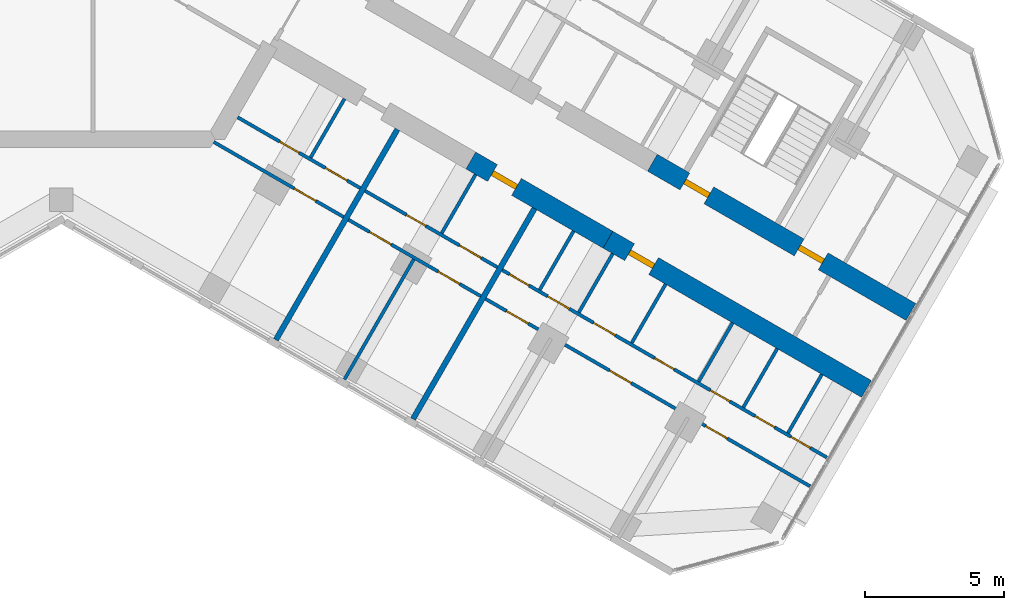
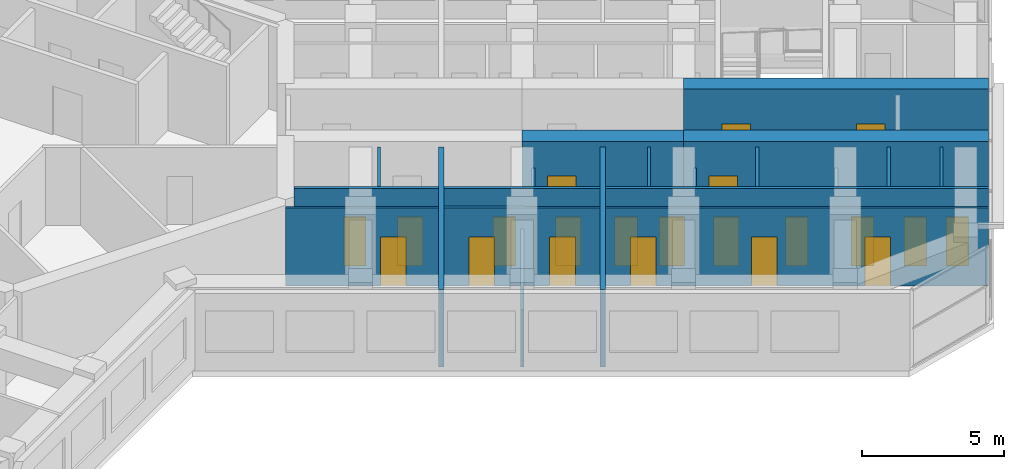
# One storey, part 11 of 16: 21 doors, 20 walls, 21 openings.
"""IFC4 building model written with IfcOpenShell, lengths in metres."""

from ifc_helpers import new_model, si_unit, direction, frame, frame_2d, origin, place, context, subcontext, project, spatial, rectangle, extrude, material, layer, layer_set, type_object, element, fill, save


model = new_model("IFC4")

# Units and contexts
model_context = context("Model", 3, precision=1e-05, world=origin(), true_north=direction((0.0, 1.0)))
body_context = subcontext(model_context, "Body", "Model", "MODEL_VIEW")
ifc_project = project(units=[si_unit("LENGTHUNIT", "METRE"), si_unit("AREAUNIT", "SQUARE_METRE"), si_unit("VOLUMEUNIT", "CUBIC_METRE"), si_unit("PLANEANGLEUNIT", "RADIAN"), si_unit("MASSUNIT", "GRAM", prefix="KILO")], contexts=[model_context])

# Site, building, storey
site_placement = place(None, origin())
site = spatial("IfcSite", under=ifc_project, at=site_placement, CompositionType="ELEMENT")
building_placement = place(site_placement, origin())
building = spatial("IfcBuilding", under=site, at=building_placement, Name="Kosmar Iwan School Tower", CompositionType="ELEMENT")
storey_placement = place(building_placement, frame((0.0, 0.0, 249.60009765625)))
storey = spatial("IfcBuildingStorey", under=building, at=storey_placement, Name="L63", CompositionType="ELEMENT", Elevation=249.60009765625)

# Wall, openings, doors
ifc_material_1 = material(Name="Concrete C50/60", Category="concrete")
ifc_layer_1 = layer(ifc_material_1, 0.699951171875)
ifc_layer_set_1 = layer_set([ifc_layer_1], Name="Corridor buttress wall 700")
wall_type_1 = type_object("IfcWallType", Name="Corridor buttress wall 700", PredefinedType="SHEAR", material=ifc_layer_set_1)
wall_1_placement = place(storey_placement, frame((21.281494140625, -10.439453125, 0.0), z_axis=(0.0, 0.0, 1.0), x_axis=(0.866032345022, -0.499987977232, 0.0)))
wall_1 = element("IfcWall", 1, at=wall_1_placement, inside=storey, type_object=wall_type_1, Name="Corridor wall CL bay 3", PredefinedType="SHEAR", context=body_context, shape_type="SweptSolid", body=[
    extrude(rectangle(XDim=10.744873046875, YDim=0.699951171875, at=frame_2d((5.37255859375, 0.0))), origin(), (0.0, 0.0, 1.0), 3.599853515625),
])
opening_1_placement = place(wall_1_placement, frame((6.10009765625, 0.0, 0.0)))
opening_1 = element("IfcOpeningElement", 2, at=opening_1_placement, cuts=wall_1, Name="Opening D1", PredefinedType="OPENING", context=body_context, shape_type="SweptSolid", body=[
    extrude(rectangle(XDim=1.0, YDim=2.10009765625, at=frame_2d((0.5, 1.050048828125))), frame((0.0, 0.362060546875, 0.0), z_axis=(0.0, -1.0, 0.0), x_axis=(1.0, 0.0, 0.0)), (0.0, 0.0, 1.0), 0.723876953125),
])
opening_2_placement = place(wall_1_placement, frame((1.35009765625, 0.0, 0.0)))
opening_2 = element("IfcOpeningElement", 3, at=opening_2_placement, cuts=wall_1, Name="Opening D6", PredefinedType="OPENING", context=body_context, shape_type="SweptSolid", body=[
    extrude(rectangle(XDim=1.0, YDim=2.10009765625, at=frame_2d((0.5, 1.050048828125))), frame((0.0, 0.362060546875, 0.0), z_axis=(0.0, -1.0, 0.0), x_axis=(1.0, 0.0, 0.0)), (0.0, 0.0, 1.0), 0.723876953125),
])
ifc_material_2 = material(Name="Timber fire door in steel frame", Category="steel")
door_type_1 = type_object("IfcDoorType", Name="Flat entrance door 1000x2100", OperationType="SINGLE_SWING_LEFT", PredefinedType="DOOR", material=ifc_material_2)
door_1_placement = place(opening_1_placement, origin())
door_1 = element("IfcDoor", 4, at=door_1_placement, inside=storey, type_object=door_type_1, Name="Flat L63-CL3 entrance door", OperationType="SINGLE_SWING_RIGHT", OverallHeight=2.10009765625, OverallWidth=1.0, PredefinedType="DOOR", context=body_context, shape_type="SweptSolid", body=[
    extrude(rectangle(XDim=1.0, YDim=2.10009765625, at=frame_2d((0.5, 1.050048828125))), frame((0.0, 0.10009765625, 0.0), z_axis=(0.0, -1.0, 0.0), x_axis=(1.0, 0.0, 0.0)), (0.0, 0.0, 1.0), 0.199951171875),
])
fill(opening_1, door_1)
ifc_material_3 = material(Name="Steel fire door", Category="steel")
door_type_2 = type_object("IfcDoorType", Name="Stair door 1000x2100", OperationType="SINGLE_SWING_LEFT", PredefinedType="DOOR", material=ifc_material_3)
door_2_placement = place(opening_2_placement, origin())
door_2 = element("IfcDoor", 5, at=door_2_placement, inside=storey, type_object=door_type_2, Name="Stair WS3 door L63", OperationType="SINGLE_SWING_LEFT", OverallHeight=2.10009765625, OverallWidth=1.0, PredefinedType="DOOR", context=body_context, shape_type="SweptSolid", body=[
    extrude(rectangle(XDim=1.0, YDim=2.10009765625, at=frame_2d((0.5, 1.050048828125))), frame((0.0, 0.10009765625, 0.0), z_axis=(0.0, -1.0, 0.0), x_axis=(1.0, 0.0, 0.0)), (0.0, 0.0, 1.0), 0.199951171875),
])
fill(opening_2, door_2)

# Wall, opening, door
wall_2_placement = place(storey_placement, frame((14.7451171875, -10.360595703125, 0.0), z_axis=(0.0, 0.0, 1.0), x_axis=(0.866015111908, -0.50001782563, 0.0)))
wall_2 = element("IfcWall", 6, at=wall_2_placement, inside=storey, type_object=wall_type_1, Name="Corridor wall CR bay 2", PredefinedType="SHEAR", context=body_context, shape_type="SweptSolid", body=[
    extrude(rectangle(XDim=5.699951171875, YDim=0.699951171875, at=frame_2d((2.85009765625, 0.0))), origin(), (0.0, 0.0, 1.0), 3.599853515625),
])
opening_3_placement = place(wall_2_placement, frame((0.89990234375, 0.0, 0.0)))
opening_3 = element("IfcOpeningElement", 7, at=opening_3_placement, cuts=wall_2, Name="Opening D1", PredefinedType="OPENING", context=body_context, shape_type="SweptSolid", body=[
    extrude(rectangle(XDim=1.0, YDim=2.10009765625, at=frame_2d((0.5, 1.050048828125))), frame((0.0, 0.362060546875, 0.0), z_axis=(0.0, -1.0, 0.0), x_axis=(1.0, 0.0, 0.0)), (0.0, 0.0, 1.0), 0.723876953125),
])
door_3_placement = place(opening_3_placement, origin())
door_3 = element("IfcDoor", 8, at=door_3_placement, inside=storey, type_object=door_type_1, Name="Flat L63-CR2 entrance door", OperationType="SINGLE_SWING_LEFT", OverallHeight=2.10009765625, OverallWidth=1.0, PredefinedType="DOOR", context=body_context, shape_type="SweptSolid", body=[
    extrude(rectangle(XDim=1.0, YDim=2.10009765625, at=frame_2d((0.5, 1.050048828125))), frame((0.0, 0.10009765625, 0.0), z_axis=(0.0, -1.0, 0.0), x_axis=(1.0, 0.0, 0.0)), (0.0, 0.0, 1.0), 0.199951171875),
])
fill(opening_3, door_3)

wall_3_placement = place(storey_placement, frame((19.681396484375, -13.210693359375, 0.0), z_axis=(0.0, 0.0, 1.0), x_axis=(0.866028186671, -0.499995179869, 0.0)))
wall_3 = element("IfcWall", 9, at=wall_3_placement, inside=storey, type_object=wall_type_1, Name="Corridor wall CR bay 3", PredefinedType="SHEAR", context=body_context, shape_type="SweptSolid", body=[
    extrude(rectangle(XDim=10.7451171875, YDim=0.699951171875, at=frame_2d((5.37255859375, 0.0))), origin(), (0.0, 0.0, 1.0), 3.599853515625),
])
opening_4_placement = place(wall_3_placement, frame((0.89990234375, 0.0, 0.0)))
opening_4 = element("IfcOpeningElement", 10, at=opening_4_placement, cuts=wall_3, Name="Opening D1", PredefinedType="OPENING", context=body_context, shape_type="SweptSolid", body=[
    extrude(rectangle(XDim=1.0, YDim=2.10009765625, at=frame_2d((0.5, 1.050048828125))), frame((0.0, 0.362060546875, 0.0), z_axis=(0.0, -1.0, 0.0), x_axis=(1.0, 0.0, 0.0)), (0.0, 0.0, 1.0), 0.723876953125),
])
door_4_placement = place(opening_4_placement, origin())
door_4 = element("IfcDoor", 11, at=door_4_placement, inside=storey, type_object=door_type_1, Name="Flat L63-CR3 entrance door", OperationType="SINGLE_SWING_LEFT", OverallHeight=2.10009765625, OverallWidth=1.0, PredefinedType="DOOR", context=body_context, shape_type="SweptSolid", body=[
    extrude(rectangle(XDim=1.0, YDim=2.10009765625, at=frame_2d((0.5, 1.050048828125))), frame((0.0, 0.10009765625, 0.0), z_axis=(0.0, -1.0, 0.0), x_axis=(1.0, 0.0, 0.0)), (0.0, 0.0, 1.0), 0.199951171875),
])
fill(opening_4, door_4)

# Wall, openings, doors
ifc_material_4 = material(Name="Gypsum board on steel studs", Category="steel")
ifc_layer_2 = layer(ifc_material_4, 0.1201171875)
ifc_layer_set_2 = layer_set([ifc_layer_2], Name="Dwelling partition 120")
wall_type_2 = type_object("IfcWallType", Name="Dwelling partition 120", PredefinedType="PARTITIONING", material=ifc_layer_set_2)
wall_4_placement = place(storey_placement, frame((6.3486328125, -8.8037109375, 0.0), z_axis=(0.0, 0.0, 1.0), x_axis=(0.86602216432, -0.500005610874, 0.0)))
wall_4 = element("IfcWall", 12, at=wall_4_placement, inside=storey, type_object=wall_type_2, Name="Partition L63-CR1-W1", PredefinedType="PARTITIONING", context=body_context, shape_type="SweptSolid", body=[
    extrude(rectangle(XDim=5.10009765625, YDim=0.1201171875, at=frame_2d((2.550048828125, 0.0))), origin(), (0.0, 0.0, 1.0), 3.349853515625),
])
opening_5_placement = place(wall_4_placement, frame((1.75, 0.0, 0.0)))
opening_5 = element("IfcOpeningElement", 13, at=opening_5_placement, cuts=wall_4, Name="Opening D3", PredefinedType="OPENING", context=body_context, shape_type="SweptSolid", body=[
    extrude(rectangle(XDim=0.800048828125, YDim=2.10009765625, at=frame_2d((0.39990234375, 1.050048828125))), frame((0.0, 0.072021484375, 0.0), z_axis=(0.0, -1.0, 0.0), x_axis=(1.0, 0.0, 0.0)), (0.0, 0.0, 1.0), 0.14404296875),
])
opening_6_placement = place(wall_4_placement, frame((3.64990234375, 0.0, 0.0)))
opening_6 = element("IfcOpeningElement", 14, at=opening_6_placement, cuts=wall_4, Name="Opening D2", PredefinedType="OPENING", context=body_context, shape_type="SweptSolid", body=[
    extrude(rectangle(XDim=0.89990234375, YDim=2.10009765625, at=frame_2d((0.449951171875, 1.050048828125))), frame((0.0, 0.072021484375, 0.0), z_axis=(0.0, -1.0, 0.0), x_axis=(1.0, 0.0, 0.0)), (0.0, 0.0, 1.0), 0.14404296875),
])
ifc_material_5 = material(Name="Timber door in timber frame", Category="wood")
door_type_3 = type_object("IfcDoorType", Name="Internal door 900x2100", OperationType="SINGLE_SWING_LEFT", PredefinedType="DOOR", material=ifc_material_5)
door_5_placement = place(opening_6_placement, origin())
door_5 = element("IfcDoor", 15, at=door_5_placement, inside=storey, type_object=door_type_3, Name="Entrance hall door L63-CR1-S2", OperationType="SINGLE_SWING_RIGHT", OverallHeight=2.10009765625, OverallWidth=0.89990234375, PredefinedType="DOOR", context=body_context, shape_type="SweptSolid", body=[
    extrude(rectangle(XDim=0.89990234375, YDim=2.10009765625, at=frame_2d((0.449951171875, 1.050048828125))), frame((0.0, 0.02490234375, 0.0), z_axis=(0.0, -1.0, 0.0), x_axis=(1.0, 0.0, 0.0)), (0.0, 0.0, 1.0), 0.050048828125),
])
fill(opening_6, door_5)
ifc_material_6 = material(Name="Timber door in timber frame", Category="wood")
door_type_4 = type_object("IfcDoorType", Name="Sanitary room door 800x2100", OperationType="SINGLE_SWING_LEFT", PredefinedType="DOOR", material=ifc_material_6)
door_6_placement = place(opening_5_placement, origin())
door_6 = element("IfcDoor", 16, at=door_6_placement, inside=storey, type_object=door_type_4, Name="Bathroom door L63-CR1-S1", OperationType="SINGLE_SWING_RIGHT", OverallHeight=2.10009765625, OverallWidth=0.800048828125, PredefinedType="DOOR", context=body_context, shape_type="SweptSolid", body=[
    extrude(rectangle(XDim=0.800048828125, YDim=2.10009765625, at=frame_2d((0.39990234375, 1.050048828125))), frame((0.0, 0.02490234375, 0.0), z_axis=(0.0, -1.0, 0.0), x_axis=(1.0, 0.0, 0.0)), (0.0, 0.0, 1.0), 0.050048828125),
])
fill(opening_5, door_6)

# Wall, opening, door
wall_5_placement = place(storey_placement, frame((5.48876953125, -9.693115234375, 0.0), z_axis=(0.0, 0.0, 1.0), x_axis=(0.866028230842, -0.499995103361, 0.0)))
wall_5 = element("IfcWall", 17, at=wall_5_placement, inside=storey, type_object=wall_type_2, Name="Partition L63-CR1-W2", PredefinedType="PARTITIONING", context=body_context, shape_type="SweptSolid", body=[
    extrude(rectangle(XDim=5.39990234375, YDim=0.1201171875, at=frame_2d((2.699951171875, 0.0))), origin(), (0.0, 0.0, 1.0), 3.349853515625),
])
opening_7_placement = place(wall_5_placement, frame((3.35009765625, 0.0, 0.0)))
opening_7 = element("IfcOpeningElement", 18, at=opening_7_placement, cuts=wall_5, Name="Opening D2", PredefinedType="OPENING", context=body_context, shape_type="SweptSolid", body=[
    extrude(rectangle(XDim=0.89990234375, YDim=2.10009765625, at=frame_2d((0.449951171875, 1.050048828125))), frame((0.0, 0.072021484375, 0.0), z_axis=(0.0, -1.0, 0.0), x_axis=(1.0, 0.0, 0.0)), (0.0, 0.0, 1.0), 0.14404296875),
])
door_7_placement = place(opening_7_placement, origin())
door_7 = element("IfcDoor", 19, at=door_7_placement, inside=storey, type_object=door_type_3, Name="Studio living room and kitchen door L63-CR1-F1", OperationType="SINGLE_SWING_RIGHT", OverallHeight=2.10009765625, OverallWidth=0.89990234375, PredefinedType="DOOR", context=body_context, shape_type="SweptSolid", body=[
    extrude(rectangle(XDim=0.89990234375, YDim=2.10009765625, at=frame_2d((0.449951171875, 1.050048828125))), frame((0.0, 0.02490234375, 0.0), z_axis=(0.0, -1.0, 0.0), x_axis=(1.0, 0.0, 0.0)), (0.0, 0.0, 1.0), 0.050048828125),
])
fill(opening_7, door_7)

# Wall
wall_6_placement = place(storey_placement, frame((10.19677734375, -8.138671875, 0.0), z_axis=(0.0, 0.0, 1.0), x_axis=(-0.499959183527, -0.866048967903, 0.0)))
element("IfcWall", 20, at=wall_6_placement, inside=storey, type_object=wall_type_2, Name="Partition L63-CR1-Y1", PredefinedType="PARTITIONING", context=body_context, shape_type="SweptSolid", body=[
    extrude(rectangle(XDim=2.440185546875, YDim=0.1201171875, at=frame_2d((1.22021484375, 0.0))), origin(), (0.0, 0.0, 1.0), 3.349853515625),
])

# Wall, openings, doors
wall_7_placement = place(storey_placement, frame((10.9384765625, -11.453857421875, 0.0), z_axis=(0.0, 0.0, 1.0), x_axis=(0.866027397988, -0.499996545922, 0.0)))
wall_7 = element("IfcWall", 21, at=wall_7_placement, inside=storey, type_object=wall_type_2, Name="Partition L63-CR2-W1", PredefinedType="PARTITIONING", context=body_context, shape_type="SweptSolid", body=[
    extrude(rectangle(XDim=5.5, YDim=0.1201171875, at=frame_2d((2.75, 0.0))), origin(), (0.0, 0.0, 1.0), 3.349853515625),
])
opening_8_placement = place(wall_7_placement, frame((1.72509765625, 0.0, 0.0)))
opening_8 = element("IfcOpeningElement", 22, at=opening_8_placement, cuts=wall_7, Name="Opening D3", PredefinedType="OPENING", context=body_context, shape_type="SweptSolid", body=[
    extrude(rectangle(XDim=0.800048828125, YDim=2.10009765625, at=frame_2d((0.39990234375, 1.050048828125))), frame((0.0, 0.072021484375, 0.0), z_axis=(0.0, -1.0, 0.0), x_axis=(1.0, 0.0, 0.0)), (0.0, 0.0, 1.0), 0.14404296875),
])
opening_9_placement = place(wall_7_placement, frame((3.925048828125, 0.0, 0.0)))
opening_9 = element("IfcOpeningElement", 23, at=opening_9_placement, cuts=wall_7, Name="Opening D2", PredefinedType="OPENING", context=body_context, shape_type="SweptSolid", body=[
    extrude(rectangle(XDim=0.89990234375, YDim=2.10009765625, at=frame_2d((0.449951171875, 1.050048828125))), frame((0.0, 0.072021484375, 0.0), z_axis=(0.0, -1.0, 0.0), x_axis=(1.0, 0.0, 0.0)), (0.0, 0.0, 1.0), 0.14404296875),
])
door_8_placement = place(opening_9_placement, origin())
door_8 = element("IfcDoor", 24, at=door_8_placement, inside=storey, type_object=door_type_3, Name="Entrance hall door L63-CR2-S2", OperationType="SINGLE_SWING_RIGHT", OverallHeight=2.10009765625, OverallWidth=0.89990234375, PredefinedType="DOOR", context=body_context, shape_type="SweptSolid", body=[
    extrude(rectangle(XDim=0.89990234375, YDim=2.10009765625, at=frame_2d((0.449951171875, 1.050048828125))), frame((0.0, 0.02490234375, 0.0), z_axis=(0.0, -1.0, 0.0), x_axis=(1.0, 0.0, 0.0)), (0.0, 0.0, 1.0), 0.050048828125),
])
fill(opening_9, door_8)
door_9_placement = place(opening_8_placement, origin())
door_9 = element("IfcDoor", 25, at=door_9_placement, inside=storey, type_object=door_type_4, Name="Bathroom door L63-CR2-S1", OperationType="SINGLE_SWING_RIGHT", OverallHeight=2.10009765625, OverallWidth=0.800048828125, PredefinedType="DOOR", context=body_context, shape_type="SweptSolid", body=[
    extrude(rectangle(XDim=0.800048828125, YDim=2.10009765625, at=frame_2d((0.39990234375, 1.050048828125))), frame((0.0, 0.02490234375, 0.0), z_axis=(0.0, -1.0, 0.0), x_axis=(1.0, 0.0, 0.0)), (0.0, 0.0, 1.0), 0.050048828125),
])
fill(opening_8, door_9)

wall_8_placement = place(storey_placement, frame((10.338623046875, -12.492919921875, 0.0), z_axis=(0.0, 0.0, 1.0), x_axis=(0.866008176907, -0.50002983664, 0.0)))
wall_8 = element("IfcWall", 26, at=wall_8_placement, inside=storey, type_object=wall_type_2, Name="Partition L63-CR2-W2", PredefinedType="PARTITIONING", context=body_context, shape_type="SweptSolid", body=[
    extrude(rectangle(XDim=5.500244140625, YDim=0.1201171875, at=frame_2d((2.75, 0.0))), origin(), (0.0, 0.0, 1.0), 3.349853515625),
])
opening_10_placement = place(wall_8_placement, frame((0.875, 0.0, 0.0)))
opening_10 = element("IfcOpeningElement", 27, at=opening_10_placement, cuts=wall_8, Name="Opening D2", PredefinedType="OPENING", context=body_context, shape_type="SweptSolid", body=[
    extrude(rectangle(XDim=0.89990234375, YDim=2.10009765625, at=frame_2d((0.449951171875, 1.050048828125))), frame((0.0, 0.072021484375, 0.0), z_axis=(0.0, -1.0, 0.0), x_axis=(1.0, 0.0, 0.0)), (0.0, 0.0, 1.0), 0.14404296875),
])
opening_11_placement = place(wall_8_placement, frame((3.72509765625, 0.0, 0.0)))
opening_11 = element("IfcOpeningElement", 28, at=opening_11_placement, cuts=wall_8, Name="Opening D2", PredefinedType="OPENING", context=body_context, shape_type="SweptSolid", body=[
    extrude(rectangle(XDim=0.89990234375, YDim=2.10009765625, at=frame_2d((0.449951171875, 1.050048828125))), frame((0.0, 0.072021484375, 0.0), z_axis=(0.0, -1.0, 0.0), x_axis=(1.0, 0.0, 0.0)), (0.0, 0.0, 1.0), 0.14404296875),
])
door_10_placement = place(opening_10_placement, origin())
door_10 = element("IfcDoor", 29, at=door_10_placement, inside=storey, type_object=door_type_3, Name="Living room and kitchen door L63-CR2-F1", OperationType="SINGLE_SWING_LEFT", OverallHeight=2.10009765625, OverallWidth=0.89990234375, PredefinedType="DOOR", context=body_context, shape_type="SweptSolid", body=[
    extrude(rectangle(XDim=0.89990234375, YDim=2.10009765625, at=frame_2d((0.449951171875, 1.050048828125))), frame((0.0, 0.02490234375, 0.0), z_axis=(0.0, -1.0, 0.0), x_axis=(1.0, 0.0, 0.0)), (0.0, 0.0, 1.0), 0.050048828125),
])
fill(opening_10, door_10)
door_11_placement = place(opening_11_placement, origin())
door_11 = element("IfcDoor", 30, at=door_11_placement, inside=storey, type_object=door_type_3, Name="Bedroom 1 door L63-CR2-F2", OperationType="SINGLE_SWING_RIGHT", OverallHeight=2.10009765625, OverallWidth=0.89990234375, PredefinedType="DOOR", context=body_context, shape_type="SweptSolid", body=[
    extrude(rectangle(XDim=0.89990234375, YDim=2.10009765625, at=frame_2d((0.449951171875, 1.050048828125))), frame((0.0, 0.02490234375, 0.0), z_axis=(0.0, -1.0, 0.0), x_axis=(1.0, 0.0, 0.0)), (0.0, 0.0, 1.0), 0.050048828125),
])
fill(opening_11, door_11)

# Walls
wall_9_placement = place(storey_placement, frame((12.690185546875, -13.919921875, 0.0), z_axis=(0.0, 0.0, 1.0), x_axis=(-0.500011847778, -0.866018563358, 0.0)))
element("IfcWall", 31, at=wall_9_placement, inside=storey, type_object=wall_type_2, Name="Partition L63-CR2-X1", PredefinedType="PARTITIONING", context=body_context, shape_type="SweptSolid", body=[
    extrude(rectangle(XDim=4.990234375, YDim=0.1201171875, at=frame_2d((2.4951171875, 0.0))), origin(), (0.0, 0.0, 1.0), 2.449951171875),
])
wall_10_placement = place(storey_placement, frame((14.91650390625, -10.86376953125, 0.0), z_axis=(0.0, 0.0, 1.0), x_axis=(-0.500002508028, -0.866023955769, 0.0)))
element("IfcWall", 32, at=wall_10_placement, inside=storey, type_object=wall_type_2, Name="Partition L63-CR2-Y1", PredefinedType="PARTITIONING", context=body_context, shape_type="SweptSolid", body=[
    extrude(rectangle(XDim=2.43994140625, YDim=0.1201171875, at=frame_2d((1.219970703125, 0.0))), origin(), (0.0, 0.0, 1.0), 2.449951171875),
])

# Wall, openings, doors
wall_11_placement = place(storey_placement, frame((15.875, -14.3037109375, 0.0), z_axis=(0.0, 0.0, 1.0), x_axis=(0.866023503214, -0.50000329187, 0.0)))
wall_11 = element("IfcWall", 33, at=wall_11_placement, inside=storey, type_object=wall_type_2, Name="Partition L63-CR3-W1", PredefinedType="PARTITIONING", context=body_context, shape_type="SweptSolid", body=[
    extrude(rectangle(XDim=13.4951171875, YDim=0.1201171875, at=frame_2d((6.74755859375, 0.0))), origin(), (0.0, 0.0, 1.0), 3.349853515625),
])
opening_12_placement = place(wall_11_placement, frame((0.3125, 0.0, 0.0)))
opening_12 = element("IfcOpeningElement", 34, at=opening_12_placement, cuts=wall_11, Name="Opening D3", PredefinedType="OPENING", context=body_context, shape_type="SweptSolid", body=[
    extrude(rectangle(XDim=0.800048828125, YDim=2.10009765625, at=frame_2d((0.39990234375, 1.050048828125))), frame((0.0, 0.072021484375, 0.0), z_axis=(0.0, -1.0, 0.0), x_axis=(1.0, 0.0, 0.0)), (0.0, 0.0, 1.0), 0.14404296875),
])
opening_13_placement = place(wall_11_placement, frame((1.887451171875, 0.0, 0.0)))
opening_13 = element("IfcOpeningElement", 35, at=opening_13_placement, cuts=wall_11, Name="Opening D2", PredefinedType="OPENING", context=body_context, shape_type="SweptSolid", body=[
    extrude(rectangle(XDim=0.89990234375, YDim=2.10009765625, at=frame_2d((0.449951171875, 1.050048828125))), frame((0.0, 0.072021484375, 0.0), z_axis=(0.0, -1.0, 0.0), x_axis=(1.0, 0.0, 0.0)), (0.0, 0.0, 1.0), 0.14404296875),
])
opening_14_placement = place(wall_11_placement, frame((3.800048828125, 0.0, 0.0)))
opening_14 = element("IfcOpeningElement", 36, at=opening_14_placement, cuts=wall_11, Name="Opening D2", PredefinedType="OPENING", context=body_context, shape_type="SweptSolid", body=[
    extrude(rectangle(XDim=0.89990234375, YDim=2.10009765625, at=frame_2d((0.449951171875, 1.050048828125))), frame((0.0, 0.072021484375, 0.0), z_axis=(0.0, -1.0, 0.0), x_axis=(1.0, 0.0, 0.0)), (0.0, 0.0, 1.0), 0.14404296875),
])
opening_15_placement = place(wall_11_placement, frame((6.341796875, 0.0, 0.0)))
opening_15 = element("IfcOpeningElement", 37, at=opening_15_placement, cuts=wall_11, Name="Opening D3", PredefinedType="OPENING", context=body_context, shape_type="SweptSolid", body=[
    extrude(rectangle(XDim=0.800048828125, YDim=2.10009765625, at=frame_2d((0.39990234375, 1.050048828125))), frame((0.0, 0.072021484375, 0.0), z_axis=(0.0, -1.0, 0.0), x_axis=(1.0, 0.0, 0.0)), (0.0, 0.0, 1.0), 0.14404296875),
])
opening_16_placement = place(wall_11_placement, frame((8.6611328125, 0.0, 0.0)))
opening_16 = element("IfcOpeningElement", 38, at=opening_16_placement, cuts=wall_11, Name="Opening D3", PredefinedType="OPENING", context=body_context, shape_type="SweptSolid", body=[
    extrude(rectangle(XDim=0.800048828125, YDim=2.10009765625, at=frame_2d((0.39990234375, 1.050048828125))), frame((0.0, 0.072021484375, 0.0), z_axis=(0.0, -1.0, 0.0), x_axis=(1.0, 0.0, 0.0)), (0.0, 0.0, 1.0), 0.14404296875),
])
opening_17_placement = place(wall_11_placement, frame((10.5166015625, 0.0, 0.0)))
opening_17 = element("IfcOpeningElement", 39, at=opening_17_placement, cuts=wall_11, Name="Opening D3", PredefinedType="OPENING", context=body_context, shape_type="SweptSolid", body=[
    extrude(rectangle(XDim=0.800048828125, YDim=2.10009765625, at=frame_2d((0.39990234375, 1.050048828125))), frame((0.0, 0.072021484375, 0.0), z_axis=(0.0, -1.0, 0.0), x_axis=(1.0, 0.0, 0.0)), (0.0, 0.0, 1.0), 0.14404296875),
])
opening_18_placement = place(wall_11_placement, frame((12.00439453125, 0.0, 0.0)))
opening_18 = element("IfcOpeningElement", 40, at=opening_18_placement, cuts=wall_11, Name="Opening D3", PredefinedType="OPENING", context=body_context, shape_type="SweptSolid", body=[
    extrude(rectangle(XDim=0.800048828125, YDim=2.10009765625, at=frame_2d((0.39990234375, 1.050048828125))), frame((0.0, 0.072021484375, 0.0), z_axis=(0.0, -1.0, 0.0), x_axis=(1.0, 0.0, 0.0)), (0.0, 0.0, 1.0), 0.14404296875),
])
door_12_placement = place(opening_13_placement, origin())
door_12 = element("IfcDoor", 41, at=door_12_placement, inside=storey, type_object=door_type_3, Name="Pantry door L63-CR3-S2", OperationType="SINGLE_SWING_RIGHT", OverallHeight=2.10009765625, OverallWidth=0.89990234375, PredefinedType="DOOR", context=body_context, shape_type="SweptSolid", body=[
    extrude(rectangle(XDim=0.89990234375, YDim=2.10009765625, at=frame_2d((0.449951171875, 1.050048828125))), frame((0.0, 0.02490234375, 0.0), z_axis=(0.0, -1.0, 0.0), x_axis=(1.0, 0.0, 0.0)), (0.0, 0.0, 1.0), 0.050048828125),
])
fill(opening_13, door_12)
door_13_placement = place(opening_14_placement, origin())
door_13 = element("IfcDoor", 42, at=door_13_placement, inside=storey, type_object=door_type_3, Name="Entrance hall door L63-CR3-S3", OperationType="SINGLE_SWING_LEFT", OverallHeight=2.10009765625, OverallWidth=0.89990234375, PredefinedType="DOOR", context=body_context, shape_type="SweptSolid", body=[
    extrude(rectangle(XDim=0.89990234375, YDim=2.10009765625, at=frame_2d((0.449951171875, 1.050048828125))), frame((0.0, 0.02490234375, 0.0), z_axis=(0.0, -1.0, 0.0), x_axis=(1.0, 0.0, 0.0)), (0.0, 0.0, 1.0), 0.050048828125),
])
fill(opening_14, door_13)
door_14_placement = place(opening_12_placement, origin())
door_14 = element("IfcDoor", 43, at=door_14_placement, inside=storey, type_object=door_type_4, Name="Store door L63-CR3-S1", OperationType="SINGLE_SWING_LEFT", OverallHeight=2.10009765625, OverallWidth=0.800048828125, PredefinedType="DOOR", context=body_context, shape_type="SweptSolid", body=[
    extrude(rectangle(XDim=0.800048828125, YDim=2.10009765625, at=frame_2d((0.39990234375, 1.050048828125))), frame((0.0, 0.02490234375, 0.0), z_axis=(0.0, -1.0, 0.0), x_axis=(1.0, 0.0, 0.0)), (0.0, 0.0, 1.0), 0.050048828125),
])
fill(opening_12, door_14)
door_15_placement = place(opening_15_placement, origin())
door_15 = element("IfcDoor", 44, at=door_15_placement, inside=storey, type_object=door_type_4, Name="Bathroom door L63-CR3-S4", OperationType="SINGLE_SWING_RIGHT", OverallHeight=2.10009765625, OverallWidth=0.800048828125, PredefinedType="DOOR", context=body_context, shape_type="SweptSolid", body=[
    extrude(rectangle(XDim=0.800048828125, YDim=2.10009765625, at=frame_2d((0.39990234375, 1.050048828125))), frame((0.0, 0.02490234375, 0.0), z_axis=(0.0, -1.0, 0.0), x_axis=(1.0, 0.0, 0.0)), (0.0, 0.0, 1.0), 0.050048828125),
])
fill(opening_15, door_15)
door_16_placement = place(opening_16_placement, origin())
door_16 = element("IfcDoor", 45, at=door_16_placement, inside=storey, type_object=door_type_4, Name="Grandparents' shower room door L63-CR3-S5", OperationType="SINGLE_SWING_LEFT", OverallHeight=2.10009765625, OverallWidth=0.800048828125, PredefinedType="DOOR", context=body_context, shape_type="SweptSolid", body=[
    extrude(rectangle(XDim=0.800048828125, YDim=2.10009765625, at=frame_2d((0.39990234375, 1.050048828125))), frame((0.0, 0.02490234375, 0.0), z_axis=(0.0, -1.0, 0.0), x_axis=(1.0, 0.0, 0.0)), (0.0, 0.0, 1.0), 0.050048828125),
])
fill(opening_16, door_16)
door_17_placement = place(opening_17_placement, origin())
door_17 = element("IfcDoor", 46, at=door_17_placement, inside=storey, type_object=door_type_4, Name="Shower room door L63-CR3-S6", OperationType="SINGLE_SWING_RIGHT", OverallHeight=2.10009765625, OverallWidth=0.800048828125, PredefinedType="DOOR", context=body_context, shape_type="SweptSolid", body=[
    extrude(rectangle(XDim=0.800048828125, YDim=2.10009765625, at=frame_2d((0.39990234375, 1.050048828125))), frame((0.0, 0.02490234375, 0.0), z_axis=(0.0, -1.0, 0.0), x_axis=(1.0, 0.0, 0.0)), (0.0, 0.0, 1.0), 0.050048828125),
])
fill(opening_17, door_17)
door_18_placement = place(opening_18_placement, origin())
door_18 = element("IfcDoor", 47, at=door_18_placement, inside=storey, type_object=door_type_4, Name="WC door L63-CR3-S7", OperationType="SINGLE_SWING_LEFT", OverallHeight=2.10009765625, OverallWidth=0.800048828125, PredefinedType="DOOR", context=body_context, shape_type="SweptSolid", body=[
    extrude(rectangle(XDim=0.800048828125, YDim=2.10009765625, at=frame_2d((0.39990234375, 1.050048828125))), frame((0.0, 0.02490234375, 0.0), z_axis=(0.0, -1.0, 0.0), x_axis=(1.0, 0.0, 0.0)), (0.0, 0.0, 1.0), 0.050048828125),
])
fill(opening_18, door_18)

wall_12_placement = place(storey_placement, frame((15.27490234375, -15.343017578125, 0.0), z_axis=(0.0, 0.0, 1.0), x_axis=(0.866023503214, -0.50000329187, 0.0)))
wall_12 = element("IfcWall", 48, at=wall_12_placement, inside=storey, type_object=wall_type_2, Name="Partition L63-CR3-W2", PredefinedType="PARTITIONING", context=body_context, shape_type="SweptSolid", body=[
    extrude(rectangle(XDim=13.4951171875, YDim=0.1201171875, at=frame_2d((6.74755859375, 0.0))), origin(), (0.0, 0.0, 1.0), 3.349853515625),
])
opening_19_placement = place(wall_12_placement, frame((0.875, 0.0, 0.0)))
opening_19 = element("IfcOpeningElement", 49, at=opening_19_placement, cuts=wall_12, Name="Opening D2", PredefinedType="OPENING", context=body_context, shape_type="SweptSolid", body=[
    extrude(rectangle(XDim=0.89990234375, YDim=2.10009765625, at=frame_2d((0.449951171875, 1.050048828125))), frame((0.0, 0.072021484375, 0.0), z_axis=(0.0, -1.0, 0.0), x_axis=(1.0, 0.0, 0.0)), (0.0, 0.0, 1.0), 0.14404296875),
])
opening_20_placement = place(wall_12_placement, frame((5.14990234375, 0.0, 0.0)))
opening_20 = element("IfcOpeningElement", 50, at=opening_20_placement, cuts=wall_12, Name="Opening D2", PredefinedType="OPENING", context=body_context, shape_type="SweptSolid", body=[
    extrude(rectangle(XDim=0.89990234375, YDim=2.10009765625, at=frame_2d((0.449951171875, 1.050048828125))), frame((0.0, 0.072021484375, 0.0), z_axis=(0.0, -1.0, 0.0), x_axis=(1.0, 0.0, 0.0)), (0.0, 0.0, 1.0), 0.14404296875),
])
opening_21_placement = place(wall_12_placement, frame((9.14990234375, 0.0, 0.0)))
opening_21 = element("IfcOpeningElement", 51, at=opening_21_placement, cuts=wall_12, Name="Opening D2", PredefinedType="OPENING", context=body_context, shape_type="SweptSolid", body=[
    extrude(rectangle(XDim=0.89990234375, YDim=2.10009765625, at=frame_2d((0.449951171875, 1.050048828125))), frame((0.0, 0.072021484375, 0.0), z_axis=(0.0, -1.0, 0.0), x_axis=(1.0, 0.0, 0.0)), (0.0, 0.0, 1.0), 0.14404296875),
])
door_19_placement = place(opening_19_placement, origin())
door_19 = element("IfcDoor", 52, at=door_19_placement, inside=storey, type_object=door_type_3, Name="Bedroom 1 door L63-CR3-F1", OperationType="SINGLE_SWING_LEFT", OverallHeight=2.10009765625, OverallWidth=0.89990234375, PredefinedType="DOOR", context=body_context, shape_type="SweptSolid", body=[
    extrude(rectangle(XDim=0.89990234375, YDim=2.10009765625, at=frame_2d((0.449951171875, 1.050048828125))), frame((0.0, 0.02490234375, 0.0), z_axis=(0.0, -1.0, 0.0), x_axis=(1.0, 0.0, 0.0)), (0.0, 0.0, 1.0), 0.050048828125),
])
fill(opening_19, door_19)
door_20_placement = place(opening_20_placement, origin())
door_20 = element("IfcDoor", 53, at=door_20_placement, inside=storey, type_object=door_type_3, Name="Living room and kitchen door L63-CR3-F2", OperationType="SINGLE_SWING_LEFT", OverallHeight=2.10009765625, OverallWidth=0.89990234375, PredefinedType="DOOR", context=body_context, shape_type="SweptSolid", body=[
    extrude(rectangle(XDim=0.89990234375, YDim=2.10009765625, at=frame_2d((0.449951171875, 1.050048828125))), frame((0.0, 0.02490234375, 0.0), z_axis=(0.0, -1.0, 0.0), x_axis=(1.0, 0.0, 0.0)), (0.0, 0.0, 1.0), 0.050048828125),
])
fill(opening_20, door_20)
door_21_placement = place(opening_21_placement, origin())
door_21 = element("IfcDoor", 54, at=door_21_placement, inside=storey, type_object=door_type_3, Name="Grandparents' suite door L63-CR3-F3", OperationType="SINGLE_SWING_RIGHT", OverallHeight=2.10009765625, OverallWidth=0.89990234375, PredefinedType="DOOR", context=body_context, shape_type="SweptSolid", body=[
    extrude(rectangle(XDim=0.89990234375, YDim=2.10009765625, at=frame_2d((0.449951171875, 1.050048828125))), frame((0.0, 0.02490234375, 0.0), z_axis=(0.0, -1.0, 0.0), x_axis=(1.0, 0.0, 0.0)), (0.0, 0.0, 1.0), 0.050048828125),
])
fill(opening_21, door_21)

# Walls
wall_13_placement = place(storey_placement, frame((18.445556640625, -12.901123046875, 0.0), z_axis=(0.0, 0.0, 1.0), x_axis=(-0.499959183527, -0.866048967903, 0.0)))
element("IfcWall", 55, at=wall_13_placement, inside=storey, type_object=wall_type_2, Name="Partition L63-CR3-Y1", PredefinedType="PARTITIONING", context=body_context, shape_type="SweptSolid", body=[
    extrude(rectangle(XDim=2.440185546875, YDim=0.1201171875, at=frame_2d((1.22021484375, 0.0))), origin(), (0.0, 0.0, 1.0), 3.349853515625),
])
wall_14_placement = place(storey_placement, frame((19.85302734375, -13.713623046875, 0.0), z_axis=(0.0, 0.0, 1.0), x_axis=(-0.500034220881, -0.866005645448, 0.0)))
element("IfcWall", 56, at=wall_14_placement, inside=storey, type_object=wall_type_2, Name="Partition L63-CR3-Y2", PredefinedType="PARTITIONING", context=body_context, shape_type="SweptSolid", body=[
    extrude(rectangle(XDim=2.440185546875, YDim=0.1201171875, at=frame_2d((1.22021484375, 0.0))), origin(), (0.0, 0.0, 1.0), 2.449951171875),
])
wall_15_placement = place(storey_placement, frame((21.758056640625, -14.813720703125, 0.0), z_axis=(0.0, 0.0, 1.0), x_axis=(-0.500002508028, -0.866023955769, 0.0)))
element("IfcWall", 57, at=wall_15_placement, inside=storey, type_object=wall_type_2, Name="Partition L63-CR3-Y3", PredefinedType="PARTITIONING", context=body_context, shape_type="SweptSolid", body=[
    extrude(rectangle(XDim=2.43994140625, YDim=0.1201171875, at=frame_2d((1.219970703125, 0.0))), origin(), (0.0, 0.0, 1.0), 3.349853515625),
])
wall_16_placement = place(storey_placement, frame((24.168701171875, -16.205322265625, 0.0), z_axis=(0.0, 0.0, 1.0), x_axis=(-0.500034220881, -0.866005645448, 0.0)))
element("IfcWall", 58, at=wall_16_placement, inside=storey, type_object=wall_type_2, Name="Partition L63-CR3-Y4", PredefinedType="PARTITIONING", context=body_context, shape_type="SweptSolid", body=[
    extrude(rectangle(XDim=2.440185546875, YDim=0.1201171875, at=frame_2d((1.22021484375, 0.0))), origin(), (0.0, 0.0, 1.0), 2.449951171875),
])
for number, where, z_axis, x_axis, name in (
    (59, (25.775634765625, -17.13330078125, 0.0), (0.0, 0.0, 1.0), (-0.500002508028, -0.866023955769, 0.0), "Partition L63-CR3-Y5"),
    (60, (27.382568359375, -18.06103515625, 0.0), (0.0, 0.0, 1.0), (-0.500002508028, -0.866023955769, 0.0), "Partition L63-CR3-Y6"),
):
    element("IfcWall", number, at=place(storey_placement, frame(where, z_axis=z_axis, x_axis=x_axis)), inside=storey, type_object=wall_type_2, Name=name, PredefinedType="PARTITIONING", context=body_context, shape_type="SweptSolid", body=[
        extrude(rectangle(XDim=2.43994140625, YDim=0.1201171875, at=frame_2d((1.219970703125, 0.0))), origin(), (0.0, 0.0, 1.0), 3.349853515625),
    ])
ifc_material_7 = material(Name="Concrete block masonry", Category="masonry")
ifc_layer_3 = layer(ifc_material_7, 0.199951171875)
ifc_layer_set_3 = layer_set([ifc_layer_3], Name="Party wall 200")
wall_type_3 = type_object("IfcWallType", Name="Party wall 200", PredefinedType="PARTITIONING", material=ifc_layer_set_3)
wall_17_placement = place(storey_placement, frame((12.10205078125, -9.23876953125, 0.0), z_axis=(0.0, 0.0, 1.0), x_axis=(-0.500004234368, -0.866022959057, 0.0)))
element("IfcWall", 61, at=wall_17_placement, inside=storey, type_object=wall_type_3, Name="Partition L63-CR2-PW", PredefinedType="PARTITIONING", context=body_context, shape_type="SweptSolid", body=[
    extrude(rectangle(XDim=8.75, YDim=0.199951171875, at=frame_2d((4.375, 0.0))), origin(), (0.0, 0.0, 1.0), 3.349853515625),
])
wall_18_placement = place(storey_placement, frame((17.038330078125, -12.088623046875, 0.0), z_axis=(0.0, 0.0, 1.0), x_axis=(-0.499992152613, -0.866029934428, 0.0)))
element("IfcWall", 62, at=wall_18_placement, inside=storey, type_object=wall_type_3, Name="Partition L63-CR3-PW", PredefinedType="PARTITIONING", context=body_context, shape_type="SweptSolid", body=[
    extrude(rectangle(XDim=8.750244140625, YDim=0.199951171875, at=frame_2d((4.375, 0.0))), origin(), (0.0, 0.0, 1.0), 3.349853515625),
])

save(model, "model.ifc")
